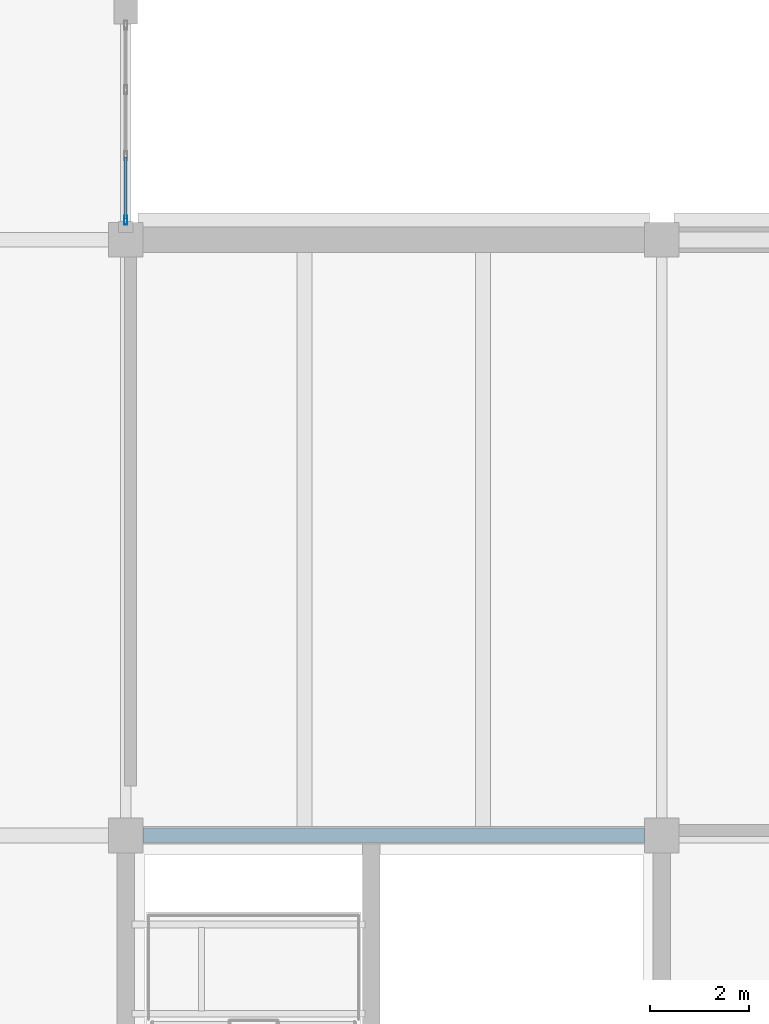
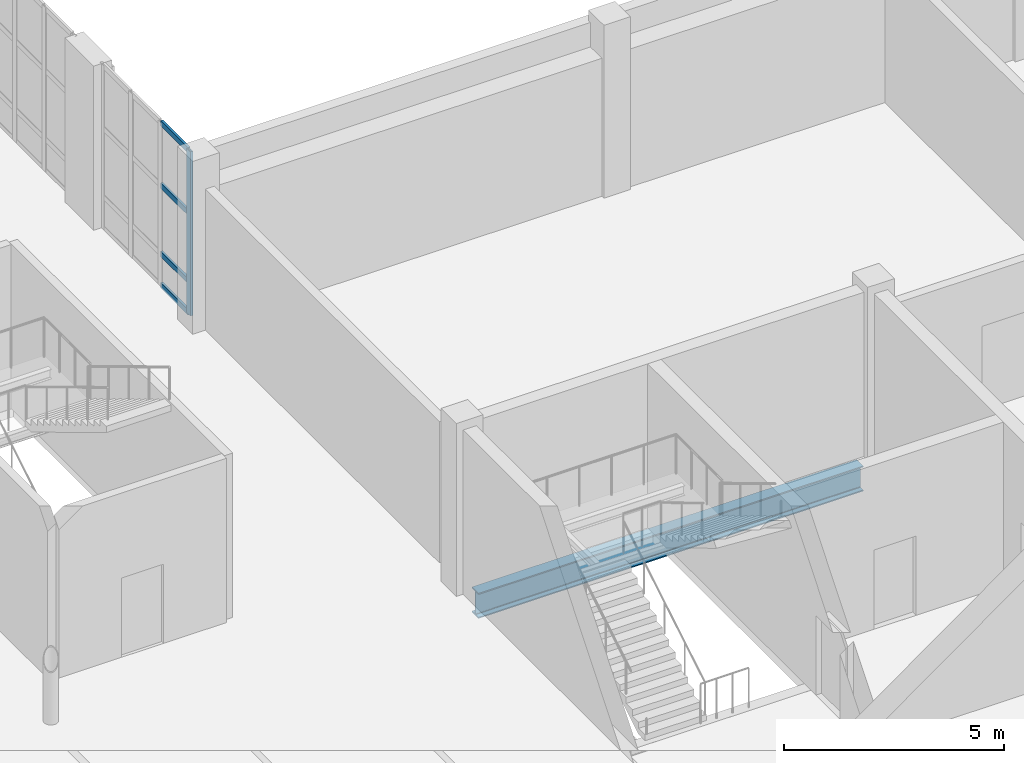
# One storey, part 39 of 92: 5 members, 1 beam, 1 element without a shape of its own.
"""IFC4 building model written with IfcOpenShell, lengths in metres."""

from ifc_helpers import new_model, si_unit, direction, frame, origin, origin_2d, place, context, subcontext, project, spatial, hollow_rectangle, i_section, extrude, material, layer, layer_set, material_profile, profile_set, type_object, element, aggregate, save


model = new_model("IFC4")

# Units and contexts
model_context = context("Model", 3, precision=1e-05, world=origin(), true_north=direction((0.0, 1.0)))
body_context = subcontext(model_context, "Body", "Model", "MODEL_VIEW")
ifc_project = project(units=[si_unit("LENGTHUNIT", "METRE"), si_unit("AREAUNIT", "SQUARE_METRE"), si_unit("VOLUMEUNIT", "CUBIC_METRE"), si_unit("PLANEANGLEUNIT", "RADIAN"), si_unit("MASSUNIT", "GRAM", prefix="KILO")], contexts=[model_context])

# Site, building, storey
site_placement = place(None, origin())
site = spatial("IfcSite", under=ifc_project, at=site_placement, CompositionType="ELEMENT")
building_placement = place(site_placement, origin())
building = spatial("IfcBuilding", under=site, at=building_placement, Name="Tasgan Crest Museum", CompositionType="ELEMENT")
storey_placement = place(building_placement, frame((0.0, 0.0, 4.800048828125)))
storey = spatial("IfcBuildingStorey", under=building, at=storey_placement, Name="L01", CompositionType="ELEMENT", Elevation=4.800048828125)

# Beam
ifc_material_1 = material(Name="Steel S355K2", Category="steel")
ifc_material_profile_1 = material_profile(ifc_material_1, i_section(OverallWidth=0.300048828125, OverallDepth=0.699951171875, WebThickness=0.01708984375, FlangeThickness=0.031982421875, FilletRadius=0.027099609375, at=origin_2d()), Name="HEB 700")
ifc_profile_set_1 = profile_set([ifc_material_profile_1], Name="Steel S355K2")
beam_type = type_object("IfcBeamType", Name="BM-G-HEB700", PredefinedType="BEAM", material=ifc_profile_set_1)
beam_placement = place(storey_placement, frame((108.345947265625, 50.0, -0.630126953125), z_axis=(1.0, 0.0, 0.0), x_axis=(0.0, 1.0, 0.0)))
element("IfcBeam", 1, at=beam_placement, inside=storey, type_object=beam_type, Name="Girder L01 F 108.0-118.8", PredefinedType="BEAM", context=body_context, shape_type="SweptSolid", body=[
    extrude(i_section(OverallWidth=0.300048828125, OverallDepth=0.699951171875, WebThickness=0.01708984375, FlangeThickness=0.031982421875, FilletRadius=0.027099609375, at=origin_2d()), origin(), (0.0, 0.0, 1.0), 10.108154296875),
])

# Curtain wall, members
ifc_material_2 = material(Name="Triple-Glazed Aluminium Curtain Wall", Category="aluminium")
ifc_layer = layer(ifc_material_2, 0.179931640625, Name="CW-DRUM-Y10-48")
ifc_layer_set = layer_set([ifc_layer], Name="Triple-Glazed Aluminium Curtain Wall")
curtain_wall_type = type_object("IfcCurtainWallType", Name="CW-DRUM-Y10-48", PredefinedType="NOTDEFINED", material=ifc_layer_set)
curtain_wall_placement = place(storey_placement, origin())
curtain_wall = element("IfcCurtainWall", 2, at=curtain_wall_placement, inside=storey, type_object=curtain_wall_type, Name="Curtain wall L01 057", PredefinedType="NOTDEFINED")
ifc_material_3 = material(Name="Anodised Aluminium", Category="aluminium")
ifc_material_profile_2 = material_profile(ifc_material_3, hollow_rectangle(XDim=0.06494140625, YDim=0.179931640625, WallThickness=0.0048828125, at=origin_2d()), Name="ALU MULLION 180x65x5")
ifc_profile_set_2 = profile_set([ifc_material_profile_2], Name="Anodised Aluminium")
member_type_1 = type_object("IfcMemberType", Name="CW-MULLION-180", PredefinedType="MULLION", material=ifc_profile_set_2)
member_1_placement = place(storey_placement, frame((108.0, 62.39501953125, 0.0), z_axis=(0.0, 0.0, 1.0), x_axis=(-1.0, 0.0, 0.0)))
member_1 = element("IfcMember", 3, at=member_1_placement, type_object=member_type_1, Name="CW04 mullion 1", PredefinedType="MULLION", context=body_context, shape_type="SweptSolid", body=[
    extrude(hollow_rectangle(XDim=0.06494140625, YDim=0.179931640625, WallThickness=0.0048828125, at=origin_2d()), origin(), (0.0, 0.0, 1.0), 4.56005859375),
])
ifc_material_4 = material(Name="Anodised Aluminium", Category="aluminium")
ifc_material_profile_3 = material_profile(ifc_material_4, hollow_rectangle(XDim=0.06005859375, YDim=0.14990234375, WallThickness=0.0048828125, at=origin_2d()), Name="ALU TRANSOM 150x60x5")
ifc_profile_set_3 = profile_set([ifc_material_profile_3], Name="Anodised Aluminium")
member_type_2 = type_object("IfcMemberType", Name="CW-TRANSOM-150", PredefinedType="USERDEFINED", material=ifc_profile_set_3)
member_2_placement = place(storey_placement, frame((108.0, 62.425048828125, 0.030029296875), z_axis=(0.0, 1.0, 0.0), x_axis=(-1.0, 0.0, 0.0)))
member_2 = element("IfcMember", 4, at=member_2_placement, type_object=member_type_2, Name="CW04 transom 1.1", ObjectType="TRANSOM", PredefinedType="USERDEFINED", context=body_context, shape_type="SweptSolid", body=[
    extrude(hollow_rectangle(XDim=0.06005859375, YDim=0.14990234375, WallThickness=0.0048828125, at=origin_2d()), origin(), (0.0, 0.0, 1.0), 1.239990234375),
])
member_3_placement = place(storey_placement, frame((108.0, 62.425048828125, 0.89990234375), z_axis=(0.0, 1.0, 0.0), x_axis=(-1.0, 0.0, 0.0)))
member_3 = element("IfcMember", 5, at=member_3_placement, type_object=member_type_2, Name="CW04 transom 1.2", ObjectType="TRANSOM", PredefinedType="USERDEFINED", context=body_context, shape_type="SweptSolid", body=[
    extrude(hollow_rectangle(XDim=0.06005859375, YDim=0.14990234375, WallThickness=0.0048828125, at=origin_2d()), origin(), (0.0, 0.0, 1.0), 1.239990234375),
])
member_4_placement = place(storey_placement, frame((108.0, 62.425048828125, 2.800048828125), z_axis=(0.0, 1.0, 0.0), x_axis=(-1.0, 0.0, 0.0)))
member_4 = element("IfcMember", 6, at=member_4_placement, type_object=member_type_2, Name="CW04 transom 1.3", ObjectType="TRANSOM", PredefinedType="USERDEFINED", context=body_context, shape_type="SweptSolid", body=[
    extrude(hollow_rectangle(XDim=0.06005859375, YDim=0.14990234375, WallThickness=0.0048828125, at=origin_2d()), origin(), (0.0, 0.0, 1.0), 1.239990234375),
])
member_5_placement = place(storey_placement, frame((108.0, 62.425048828125, 4.530029296875), z_axis=(0.0, 1.0, 0.0), x_axis=(-1.0, 0.0, 0.0)))
member_5 = element("IfcMember", 7, at=member_5_placement, type_object=member_type_2, Name="CW04 transom 1.4", ObjectType="TRANSOM", PredefinedType="USERDEFINED", context=body_context, shape_type="SweptSolid", body=[
    extrude(hollow_rectangle(XDim=0.06005859375, YDim=0.14990234375, WallThickness=0.0048828125, at=origin_2d()), origin(), (0.0, 0.0, 1.0), 1.239990234375),
])
aggregate(curtain_wall, [member_1, member_2, member_3, member_4, member_5])

save(model, "model.ifc")
